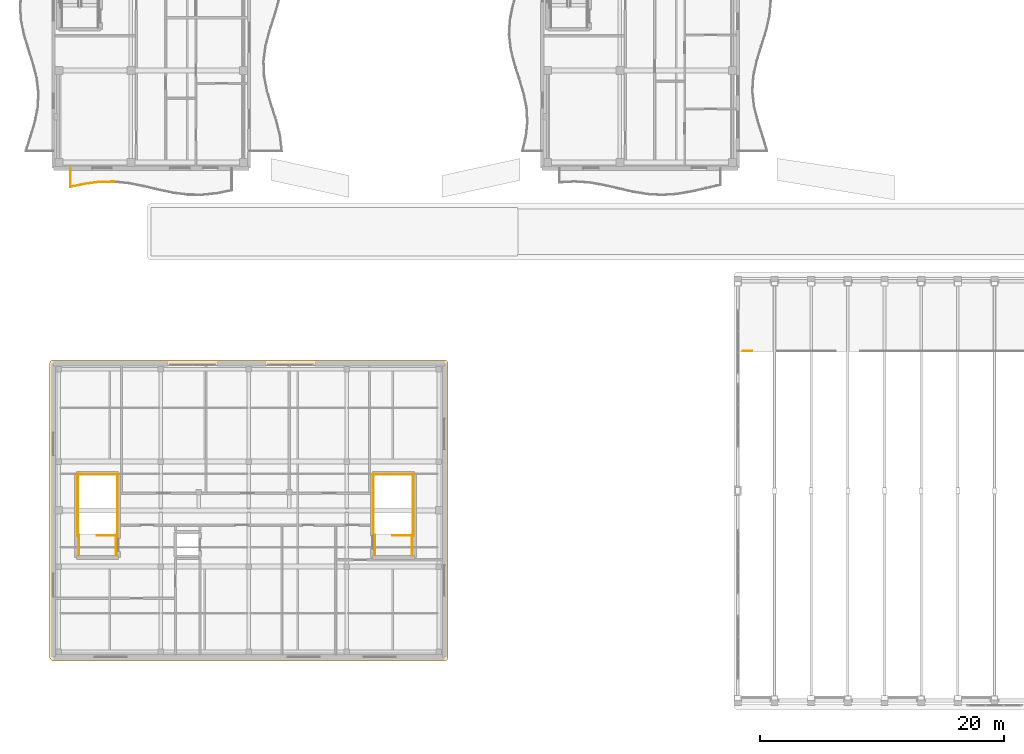
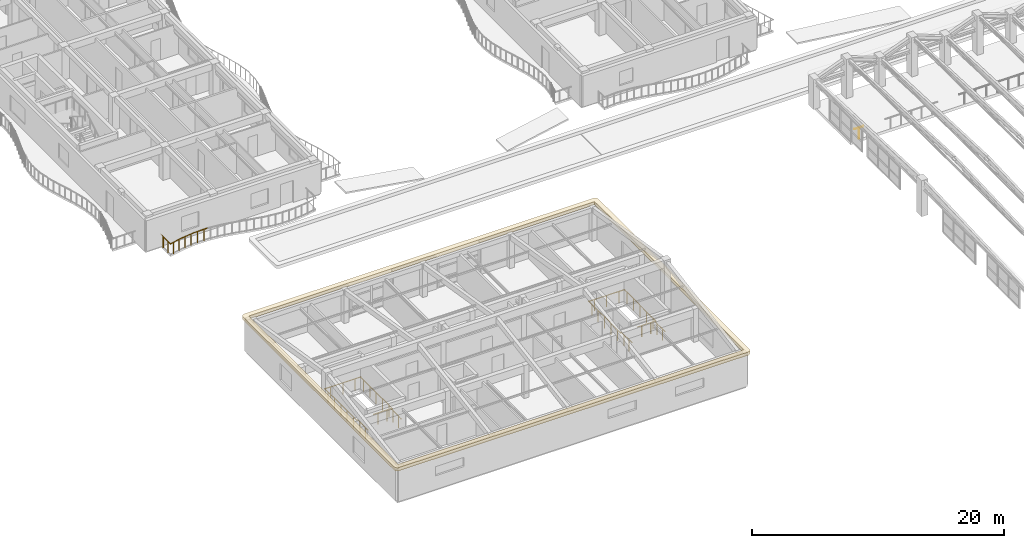
# One storey, part 102 of 128: 17 railings, 1 covering.
"""IFC4 building model written with IfcOpenShell, lengths in metres."""

import ifcopenshell
import ifcopenshell.guid

model = None  # the IFC model being written
_history = None  # IfcOwnerHistory: only IFC2X3 demands one
_inside = {}  # id of a spatial element -> (the spatial element, [elements in it])
_under = {}  # id of a project, library or spatial element -> (it, [spatial elements below it])
_declared = {}  # id of a project -> (the project, [libraries it declares])
_typed = {}  # id of a type object -> (the type object, [elements of that type])
_made_of = {}  # id of a material, layer set ... -> (it, [elements and type objects made of it])


def new_model(schema):
    """Start an empty IFC model of exactly this schema.

    Asked for "IFC4X3", IfcOpenShell would pick the latest addendum, in which some entities
    have other attributes; the version numbers below select the first issue.
    IFC2X3 requires an IfcOwnerHistory on every rooted entity: one is made here for all.
    """
    global model, _history
    if schema == "IFC4X3":
        model = ifcopenshell.file(schema_version=(4, 3, 0, 0))
    else:
        model = ifcopenshell.file(schema=schema)
    _inside.clear()
    _under.clear()
    _declared.clear()
    _typed.clear()
    _made_of.clear()
    _history = None
    if model.schema == "IFC2X3":
        org = make("IfcOrganization", Name="unknown")
        user = make(
            "IfcPersonAndOrganization",
            ThePerson=make("IfcPerson", FamilyName="unknown"),
            TheOrganization=org,
        )
        app = make(
            "IfcApplication",
            ApplicationDeveloper=org,
            Version="unknown",
            ApplicationFullName="unknown",
            ApplicationIdentifier="unknown",
        )
        _history = make(
            "IfcOwnerHistory",
            OwningUser=user,
            OwningApplication=app,
            ChangeAction="ADDED",
            CreationDate=0,
        )
    return model


def make(cls, **values):
    """One entity of the class cls with the attributes given. An attribute that is None is left unset."""
    return model.create_entity(
        cls, **{name: value for name, value in values.items() if value is not None}
    )


def rooted(cls, **values):
    """An entity with a GlobalId (a new one), such as an element, a storey or a relation."""
    return make(cls, GlobalId=ifcopenshell.guid.new(), OwnerHistory=_history, **values)


def si_unit(unit_type, name, prefix=None):
    """IfcSIUnit, for example si_unit("LENGTHUNIT", "METRE", prefix="MILLI")."""
    return make("IfcSIUnit", UnitType=unit_type, Prefix=prefix, Name=name)


def assignment(units):
    """IfcUnitAssignment: the units of a project."""
    return None if units is None else make("IfcUnitAssignment", Units=units)


def point(xyz):
    """IfcCartesianPoint."""
    return None if xyz is None else make("IfcCartesianPoint", Coordinates=xyz)


def direction(xyz):
    """IfcDirection."""
    return None if xyz is None else make("IfcDirection", DirectionRatios=xyz)


def frame(location, z_axis=None, x_axis=None):
    """IfcAxis2Placement3D, a coordinate frame: its origin and axes. An axis left out is left unset."""
    return make(
        "IfcAxis2Placement3D",
        Location=point(location),
        Axis=direction(z_axis),
        RefDirection=direction(x_axis),
    )


def frame_2d(location, x_axis=None):
    """IfcAxis2Placement2D, a coordinate frame in the plane: its origin and x axis."""
    return make(
        "IfcAxis2Placement2D", Location=point(location), RefDirection=direction(x_axis)
    )


def origin():
    """The frame at (0, 0, 0) with its axes left unset."""
    return frame((0.0, 0.0, 0.0))


def origin_2d():
    """The frame at (0, 0) in the plane with its x axis left unset."""
    return frame_2d((0.0, 0.0))


def place(relative_to, where):
    """IfcLocalPlacement: puts the frame where relative to a parent placement (None: the world)."""
    return make(
        "IfcLocalPlacement", PlacementRelTo=relative_to, RelativePlacement=where
    )


def context(
    kind, dimensions, precision=None, world=None, true_north=None, identifier=None
):
    """IfcGeometricRepresentationContext, for example the 3D "Model" context."""
    return make(
        "IfcGeometricRepresentationContext",
        ContextIdentifier=identifier,
        ContextType=kind,
        CoordinateSpaceDimension=dimensions,
        Precision=precision,
        WorldCoordinateSystem=world,
        TrueNorth=true_north,
    )


def subcontext(parent, identifier, kind, view, scale=None):
    """IfcGeometricRepresentationSubContext, for example "Body" below "Model"."""
    return make(
        "IfcGeometricRepresentationSubContext",
        ContextIdentifier=identifier,
        ContextType=kind,
        ParentContext=parent,
        TargetScale=scale,
        TargetView=view,
    )


def project(units=None, contexts=None):
    """IfcProject with its units and contexts."""
    return rooted(
        "IfcProject",
        Name="project",
        RepresentationContexts=contexts,
        UnitsInContext=assignment(units),
    )


def spatial(cls, under=None, at=None, **own):
    """A site, building, storey or space (cls), placed at a placement, below another one or the project."""
    s = rooted(cls, ObjectPlacement=at, **own)
    if under is not None:
        _under.setdefault(under.id(), (under, []))[1].append(s)
    return s


def polyline(points):
    """IfcPolyline through the points."""
    return make("IfcPolyline", Points=[point(p) for p in points])


def profile(cls, at=None, kind="AREA", **sizes):
    """A parametric profile (cls). Its sizes go by their IFC names, for example OverallWidth=200.0."""
    return make(cls, ProfileType=kind, Position=at, **sizes)


def circle(**sizes):
    """IfcCircleProfileDef."""
    return profile("IfcCircleProfileDef", **sizes)


def outline(outer, holes=None, kind="AREA"):
    """IfcArbitraryClosedProfileDef: a profile drawn as a closed curve; with holes, ...WithVoids."""
    if holes is None:
        return make("IfcArbitraryClosedProfileDef", ProfileType=kind, OuterCurve=outer)
    return make(
        "IfcArbitraryProfileDefWithVoids",
        ProfileType=kind,
        OuterCurve=outer,
        InnerCurves=holes,
    )


def extrude(swept, where, along, depth):
    """IfcExtrudedAreaSolid: the profile swept, set in the frame where, extruded along a direction by depth."""
    return make(
        "IfcExtrudedAreaSolid",
        SweptArea=swept,
        Position=where,
        ExtrudedDirection=direction(along),
        Depth=depth,
    )


def shape(context_of_items, identifier, shape_type, items):
    """IfcShapeRepresentation: the items that make up one representation, for example the "Body"."""
    return make(
        "IfcShapeRepresentation",
        ContextOfItems=context_of_items,
        RepresentationIdentifier=identifier,
        RepresentationType=shape_type,
        Items=items,
    )


def material(Name=None, Category=None):
    """IfcMaterial."""
    return make("IfcMaterial", Name=Name, Category=Category)


def layer(
    of_material, thickness, ventilated=None, Name=None, Category=None, Priority=None
):
    """IfcMaterialLayer: one layer of a wall or slab, of a material (None: an air gap)."""
    return make(
        "IfcMaterialLayer",
        Material=of_material,
        LayerThickness=thickness,
        IsVentilated=ventilated,
        Name=Name,
        Category=Category,
        Priority=Priority,
    )


def layer_set(layers, Name=None):
    """IfcMaterialLayerSet."""
    return make("IfcMaterialLayerSet", MaterialLayers=layers, LayerSetName=Name)


def made_of(thing, what):
    """Note that an element or type object is made of a material, layer set ...; save() writes the relation."""
    if what is not None:
        _made_of.setdefault(what.id(), (what, []))[1].append(thing)
    return thing


def type_object(cls, material=None, **own):
    """A type object (cls), such as IfcWallType, which elements share."""
    return made_of(rooted(cls, **own), material)


def element(
    cls,
    number,
    at=None,
    inside=None,
    cuts=None,
    type_object=None,
    material=None,
    context=None,
    identifier="Body",
    shape_type=None,
    held_by="IfcProductDefinitionShape",
    body=None,
    shapes=None,
    **own,
):
    """One element of the class cls, such as IfcWall. Its Tag is "e" and its number.

    at: its placement. inside: the storey or other place that contains it. cuts: it is an
    opening in that element (IfcRelVoidsElement). A single representation is given by context,
    identifier, shape_type and body (its items); several are given by shapes. held_by: the class
    of the entity that holds the representations. save() writes the other relations.
    """
    e = rooted(cls, Tag="e%d" % number, ObjectPlacement=at, **own)
    if body is not None:
        shapes = [shape(context, identifier, shape_type, body)]
    if shapes is not None:
        e.Representation = make(held_by, Representations=shapes)
    if inside is not None:
        _inside.setdefault(inside.id(), (inside, []))[1].append(e)
    if cuts is not None:
        rooted(
            "IfcRelVoidsElement", RelatingBuildingElement=cuts, RelatedOpeningElement=e
        )
    if type_object is not None:
        _typed.setdefault(type_object.id(), (type_object, []))[1].append(e)
    return made_of(e, material)


def aggregate(whole, parts):
    """IfcRelAggregates: a whole, such as a stair, and the parts it consists of."""
    return rooted("IfcRelAggregates", RelatingObject=whole, RelatedObjects=parts)


def save(model, path):
    """Write the relations noted so far, then the file.

    IfcRelAggregates (storeys below a building ...), IfcRelContainedInSpatialStructure (elements
    in a storey), IfcRelDefinesByType, IfcRelAssociatesMaterial and IfcRelDeclares: one each for
    every whole, place, type object, material and project.
    """
    for whole, parts in _under.values():
        aggregate(whole, parts)
    for where, things in _inside.values():
        rooted(
            "IfcRelContainedInSpatialStructure",
            RelatedElements=things,
            RelatingStructure=where,
        )
    for kind, things in _typed.values():
        rooted("IfcRelDefinesByType", RelatedObjects=things, RelatingType=kind)
    for what, things in _made_of.values():
        rooted("IfcRelAssociatesMaterial", RelatedObjects=things, RelatingMaterial=what)
    for by, libraries in _declared.values():
        rooted("IfcRelDeclares", RelatingContext=by, RelatedDefinitions=libraries)
    model.write(path)


model = new_model("IFC4")

# Units and contexts
model_context = context("Model", 3, precision=1e-05, world=origin(), true_north=direction((0.0, 1.0)))
body_context = subcontext(model_context, "Body", "Model", "MODEL_VIEW")
ifc_project = project(units=[si_unit("LENGTHUNIT", "METRE"), si_unit("AREAUNIT", "SQUARE_METRE"), si_unit("VOLUMEUNIT", "CUBIC_METRE"), si_unit("PLANEANGLEUNIT", "RADIAN"), si_unit("MASSUNIT", "GRAM", prefix="KILO")], contexts=[model_context])

# Site, building, storey
site_placement = place(None, origin())
site = spatial("IfcSite", under=ifc_project, at=site_placement, CompositionType="ELEMENT")
building_placement = place(site_placement, origin())
building = spatial("IfcBuilding", under=site, at=building_placement, Name="Keldmere Railside Commons", CompositionType="ELEMENT")
storey_placement = place(building_placement, frame((0.0, 0.0, 4.159912109375)))
storey = spatial("IfcBuildingStorey", under=building, at=storey_placement, Name="L01", CompositionType="ELEMENT", Elevation=4.159912109375)

# Railings
ifc_material_1 = material(Name="Steel F-24 (S235)", Category="steel")
railing_type_1 = type_object("IfcRailingType", Name="Balcony & Terrace Steel Balustrade 1100", PredefinedType="BALUSTRADE", material=ifc_material_1)
railing_1_placement = place(storey_placement, frame((9.39990234375, 56.0, 0.0)))
element("IfcRailing", 1, at=railing_1_placement, inside=storey, type_object=railing_type_1, Name="GR-1 GRD-L01-0118", PredefinedType="BALUSTRADE", context=body_context, shape_type="SweptSolid", body=[
    extrude(circle(Radius=0.02392578125, at=origin_2d()), frame((0.0, 0.0, 1.076171875), z_axis=(0.0, -1.0, 0.0), x_axis=(1.0, 0.0, 0.0)), (0.0, 0.0, 1.0), 1.5361328125),
    extrude(circle(Radius=0.02099609375, at=origin_2d()), frame((0.0, -0.384033203125, 0.0)), (0.0, 0.0, 1.0), 1.048095703125),
    extrude(circle(Radius=0.02099609375, at=origin_2d()), frame((0.0, -1.152099609375, 0.0)), (0.0, 0.0, 1.0), 1.048095703125),
])
railing_2_placement = place(storey_placement, frame((9.39990234375, 54.4638671875, 0.0)))
element("IfcRailing", 2, at=railing_2_placement, inside=storey, type_object=railing_type_1, Name="GR-1 GRD-L01-0119", PredefinedType="BALUSTRADE", context=body_context, shape_type="SweptSolid", body=[
    extrude(circle(Radius=0.02392578125, at=origin_2d()), frame((0.0, 0.0, 1.076171875), z_axis=(0.978386884856, 0.206782744786, 0.0), x_axis=(-0.206782744786, 0.978386884856, 0.0)), (0.0, 0.0, 1.0), 1.226806640625),
    extrude(circle(Radius=0.02099609375, at=origin_2d()), frame((0.300048828125, 0.0634765625, 0.0)), (0.0, 0.0, 1.0), 1.048095703125),
    extrude(circle(Radius=0.02099609375, at=origin_2d()), frame((0.900146484375, 0.190185546875, 0.0)), (0.0, 0.0, 1.0), 1.048095703125),
])
railing_3_placement = place(storey_placement, frame((10.60009765625, 54.717529296875, 0.0)))
element("IfcRailing", 3, at=railing_3_placement, inside=storey, type_object=railing_type_1, Name="GR-1 GRD-L01-0120", PredefinedType="BALUSTRADE", context=body_context, shape_type="SweptSolid", body=[
    extrude(circle(Radius=0.02392578125, at=origin_2d()), frame((0.0, 0.0, 1.076171875), z_axis=(0.991731539866, 0.128329859482, 0.0), x_axis=(-0.128329859482, 0.991731539866, 0.0)), (0.0, 0.0, 1.0), 1.2099609375),
    extrude(circle(Radius=0.02099609375, at=origin_2d()), frame((0.300048828125, 0.038818359375, 0.0)), (0.0, 0.0, 1.0), 1.048095703125),
    extrude(circle(Radius=0.02099609375, at=origin_2d()), frame((0.89990234375, 0.116455078125, 0.0)), (0.0, 0.0, 1.0), 1.048095703125),
])
railing_4_placement = place(storey_placement, frame((11.800048828125, 54.872802734375, 0.0)))
element("IfcRailing", 4, at=railing_4_placement, inside=storey, type_object=railing_type_1, Name="GR-1 GRD-L01-0121", PredefinedType="BALUSTRADE", context=body_context, shape_type="SweptSolid", body=[
    extrude(circle(Radius=0.02392578125, at=origin_2d()), frame((0.0, 0.0, 1.076171875), z_axis=(0.999917860785, 0.012816851522, 0.0), x_axis=(-0.012816851522, 0.999917860785, 0.0)), (0.0, 0.0, 1.0), 1.199951171875),
    extrude(circle(Radius=0.02099609375, at=origin_2d()), frame((0.300048828125, 0.00390625, 0.0)), (0.0, 0.0, 1.0), 1.048095703125),
    extrude(circle(Radius=0.02099609375, at=origin_2d()), frame((0.89990234375, 0.011474609375, 0.0)), (0.0, 0.0, 1.0), 1.048095703125),
])

# Covering
ifc_material_2 = material(Name="White Precast Concrete C35/45", Category="concrete")
ifc_layer = layer(ifc_material_2, 0.280029296875, Name="Postmodern Stepped Precast Cornice Band 280")
ifc_layer_set = layer_set([ifc_layer], Name="White Precast Concrete C35/45")
covering_type = type_object("IfcCoveringType", Name="Postmodern Stepped Precast Cornice Band 280", PredefinedType="CLADDING", material=ifc_layer_set)
covering_placement = place(storey_placement, frame((0.0, 0.0, 3.06005859375)))
element("IfcCovering", 5, at=covering_placement, inside=storey, type_object=covering_type, Name="CRN-1 Postmodern Entablature CRN-NUR", PredefinedType="CLADDING", context=body_context, shape_type="SweptSolid", body=[
    extrude(outline(polyline([(8.0, 15.699951171875), (7.970703125, 15.701416015625), (7.94140625, 15.705810546875), (7.912841796875, 15.712890625), (7.88525390625, 15.722900390625), (7.858642578125, 15.7353515625), (7.833251953125, 15.75048828125), (7.809814453125, 15.76806640625), (7.787841796875, 15.787841796875), (7.76806640625, 15.809814453125), (7.75048828125, 15.833251953125), (7.7353515625, 15.858642578125), (7.722900390625, 15.88525390625), (7.712890625, 15.912841796875), (7.705810546875, 15.94140625), (7.701416015625, 15.970703125), (7.699951171875, 16.0), (7.699951171875, 40.0), (7.701416015625, 40.029296875), (7.705810546875, 40.05859375), (7.712890625, 40.087158203125), (7.722900390625, 40.11474609375), (7.7353515625, 40.141357421875), (7.75048828125, 40.166748046875), (7.76806640625, 40.190185546875), (7.787841796875, 40.212158203125), (7.809814453125, 40.23193359375), (7.833251953125, 40.24951171875), (7.858642578125, 40.2646484375), (7.88525390625, 40.277099609375), (7.912841796875, 40.287109375), (7.94140625, 40.294189453125), (7.970703125, 40.298583984375), (8.0, 40.300048828125), (40.0, 40.300048828125), (40.029296875, 40.298583984375), (40.05859375, 40.294189453125), (40.087158203125, 40.287109375), (40.11474609375, 40.277099609375), (40.141357421875, 40.2646484375), (40.166748046875, 40.24951171875), (40.190185546875, 40.23193359375), (40.212158203125, 40.212158203125), (40.23193359375, 40.190185546875), (40.24951171875, 40.166748046875), (40.2646484375, 40.141357421875), (40.277099609375, 40.11474609375), (40.287109375, 40.087158203125), (40.294189453125, 40.05859375), (40.298583984375, 40.029296875), (40.300048828125, 40.0), (40.300048828125, 16.0), (40.298583984375, 15.970703125), (40.294189453125, 15.94140625), (40.287109375, 15.912841796875), (40.277099609375, 15.88525390625), (40.2646484375, 15.858642578125), (40.24951171875, 15.833251953125), (40.23193359375, 15.809814453125), (40.212158203125, 15.787841796875), (40.190185546875, 15.76806640625), (40.166748046875, 15.75048828125), (40.141357421875, 15.7353515625), (40.11474609375, 15.722900390625), (40.087158203125, 15.712890625), (40.05859375, 15.705810546875), (40.029296875, 15.701416015625), (40.0, 15.699951171875), (8.0, 15.699951171875)]), holes=[polyline([(39.85009765625, 16.14990234375), (8.14990234375, 16.14990234375), (8.14990234375, 39.85009765625), (39.85009765625, 39.85009765625), (39.85009765625, 16.14990234375)])]), origin(), (0.0, 0.0, 1.0), 0.320068359375),
])

# Railings
railing_type_2 = type_object("IfcRailingType", Name="Stair Well Steel Guardrail 1100", PredefinedType="BALUSTRADE", material=ifc_material_1)
railing_5_placement = place(storey_placement, frame((13.199951171875, 25.949951171875, 0.0)))
element("IfcRailing", 6, at=railing_5_placement, inside=storey, type_object=railing_type_2, Name="L01 ST-N1 top well guard 1", PredefinedType="BALUSTRADE", context=body_context, shape_type="SweptSolid", body=[
    extrude(circle(Radius=0.02392578125, at=origin_2d()), frame((0.0, 0.0, 1.076171875), z_axis=(-1.0, 0.0, 0.0), x_axis=(0.0, -1.0, 0.0)), (0.0, 0.0, 1.0), 1.64990234375),
    extrude(circle(Radius=0.02099609375, at=origin_2d()), frame((-0.41259765625, 0.0, 0.0)), (0.0, 0.0, 1.0), 1.048095703125),
    extrude(circle(Radius=0.02099609375, at=origin_2d()), frame((-1.2373046875, 0.0, 0.0)), (0.0, 0.0, 1.0), 1.048095703125),
])
for number, where, name in (
    (7, (13.25, 25.89990234375, 0.0), "L01 ST-N1 top well guard 2"),
    (8, (10.0, 25.89990234375, 0.0), "L01 ST-N1 top well guard 3"),
):
    element("IfcRailing", number, at=place(storey_placement, frame(where)), inside=storey, type_object=railing_type_2, Name=name, PredefinedType="BALUSTRADE", context=body_context, shape_type="SweptSolid", body=[
        extrude(circle(Radius=0.02392578125, at=origin_2d()), frame((0.0, 0.0, 1.076171875), z_axis=(0.0, 1.0, 0.0), x_axis=(-1.0, 0.0, 0.0)), (0.0, 0.0, 1.0), 5.10009765625),
        extrude(circle(Radius=0.02099609375, at=origin_2d()), frame((0.0, 0.510009765625, 0.0)), (0.0, 0.0, 1.0), 1.048095703125),
        extrude(circle(Radius=0.02099609375, at=origin_2d()), frame((0.0, 1.530029296875, 0.0)), (0.0, 0.0, 1.0), 1.048095703125),
        extrude(circle(Radius=0.02099609375, at=origin_2d()), frame((0.0, 2.550048828125, 0.0)), (0.0, 0.0, 1.0), 1.048095703125),
        extrude(circle(Radius=0.02099609375, at=origin_2d()), frame((0.0, 3.570068359375, 0.0)), (0.0, 0.0, 1.0), 1.048095703125),
        extrude(circle(Radius=0.02099609375, at=origin_2d()), frame((0.0, 4.590087890625, 0.0)), (0.0, 0.0, 1.0), 1.048095703125),
    ])
railing_6_placement = place(storey_placement, frame((13.300048828125, 30.949951171875, 0.0)))
element("IfcRailing", 9, at=railing_6_placement, inside=storey, type_object=railing_type_2, Name="L01 ST-N1 top well guard 4", PredefinedType="BALUSTRADE", context=body_context, shape_type="SweptSolid", body=[
    extrude(circle(Radius=0.02392578125, at=origin_2d()), frame((0.0, 0.0, 1.076171875), z_axis=(-1.0, 0.0, 0.0), x_axis=(0.0, -1.0, 0.0)), (0.0, 0.0, 1.0), 3.35009765625),
    extrude(circle(Radius=0.02099609375, at=origin_2d()), frame((-0.558349609375, 0.0, 0.0)), (0.0, 0.0, 1.0), 1.048095703125),
    extrude(circle(Radius=0.02099609375, at=origin_2d()), frame((-1.675048828125, 0.0, 0.0)), (0.0, 0.0, 1.0), 1.048095703125),
    extrude(circle(Radius=0.02099609375, at=origin_2d()), frame((-2.791748046875, 0.0, 0.0)), (0.0, 0.0, 1.0), 1.048095703125),
])
for number, where, name in (
    (10, (13.14990234375, 24.300048828125, 0.0), "L01 ST-N1 top well guard 5"),
    (11, (10.10009765625, 24.300048828125, 0.0), "L01 ST-N1 top well guard 6"),
):
    element("IfcRailing", number, at=place(storey_placement, frame(where)), inside=storey, type_object=railing_type_2, Name=name, PredefinedType="BALUSTRADE", context=body_context, shape_type="SweptSolid", body=[
        extrude(circle(Radius=0.02392578125, at=origin_2d()), frame((0.0, 0.0, 1.076171875), z_axis=(0.0, 1.0, 0.0), x_axis=(-1.0, 0.0, 0.0)), (0.0, 0.0, 1.0), 1.699951171875),
        extrude(circle(Radius=0.02099609375, at=origin_2d()), frame((0.0, 0.425048828125, 0.0)), (0.0, 0.0, 1.0), 1.048095703125),
        extrude(circle(Radius=0.02099609375, at=origin_2d()), frame((0.0, 1.27490234375, 0.0)), (0.0, 0.0, 1.0), 1.048095703125),
    ])
railing_7_placement = place(storey_placement, frame((37.39990234375, 25.949951171875, 0.0)))
element("IfcRailing", 12, at=railing_7_placement, inside=storey, type_object=railing_type_2, Name="L01 ST-N2 top well guard 1", PredefinedType="BALUSTRADE", context=body_context, shape_type="SweptSolid", body=[
    extrude(circle(Radius=0.02392578125, at=origin_2d()), frame((0.0, 0.0, 1.076171875), z_axis=(-1.0, 0.0, 0.0), x_axis=(0.0, -1.0, 0.0)), (0.0, 0.0, 1.0), 1.64990234375),
    extrude(circle(Radius=0.02099609375, at=origin_2d()), frame((-0.41259765625, 0.0, 0.0)), (0.0, 0.0, 1.0), 1.048095703125),
    extrude(circle(Radius=0.02099609375, at=origin_2d()), frame((-1.2373046875, 0.0, 0.0)), (0.0, 0.0, 1.0), 1.048095703125),
])
for number, where, name in (
    (13, (37.449951171875, 25.89990234375, 0.0), "L01 ST-N2 top well guard 2"),
    (14, (34.199951171875, 25.89990234375, 0.0), "L01 ST-N2 top well guard 3"),
):
    element("IfcRailing", number, at=place(storey_placement, frame(where)), inside=storey, type_object=railing_type_2, Name=name, PredefinedType="BALUSTRADE", context=body_context, shape_type="SweptSolid", body=[
        extrude(circle(Radius=0.02392578125, at=origin_2d()), frame((0.0, 0.0, 1.076171875), z_axis=(0.0, 1.0, 0.0), x_axis=(-1.0, 0.0, 0.0)), (0.0, 0.0, 1.0), 5.10009765625),
        extrude(circle(Radius=0.02099609375, at=origin_2d()), frame((0.0, 0.510009765625, 0.0)), (0.0, 0.0, 1.0), 1.048095703125),
        extrude(circle(Radius=0.02099609375, at=origin_2d()), frame((0.0, 1.530029296875, 0.0)), (0.0, 0.0, 1.0), 1.048095703125),
        extrude(circle(Radius=0.02099609375, at=origin_2d()), frame((0.0, 2.550048828125, 0.0)), (0.0, 0.0, 1.0), 1.048095703125),
        extrude(circle(Radius=0.02099609375, at=origin_2d()), frame((0.0, 3.570068359375, 0.0)), (0.0, 0.0, 1.0), 1.048095703125),
        extrude(circle(Radius=0.02099609375, at=origin_2d()), frame((0.0, 4.590087890625, 0.0)), (0.0, 0.0, 1.0), 1.048095703125),
    ])
railing_8_placement = place(storey_placement, frame((37.5, 30.949951171875, 0.0)))
element("IfcRailing", 15, at=railing_8_placement, inside=storey, type_object=railing_type_2, Name="L01 ST-N2 top well guard 4", PredefinedType="BALUSTRADE", context=body_context, shape_type="SweptSolid", body=[
    extrude(circle(Radius=0.02392578125, at=origin_2d()), frame((0.0, 0.0, 1.076171875), z_axis=(-1.0, 0.0, 0.0), x_axis=(0.0, -1.0, 0.0)), (0.0, 0.0, 1.0), 3.35009765625),
    extrude(circle(Radius=0.02099609375, at=origin_2d()), frame((-0.558349609375, 0.0, 0.0)), (0.0, 0.0, 1.0), 1.048095703125),
    extrude(circle(Radius=0.02099609375, at=origin_2d()), frame((-1.675048828125, 0.0, 0.0)), (0.0, 0.0, 1.0), 1.048095703125),
    extrude(circle(Radius=0.02099609375, at=origin_2d()), frame((-2.791748046875, 0.0, 0.0)), (0.0, 0.0, 1.0), 1.048095703125),
])
for number, where, name in (
    (16, (37.35009765625, 24.300048828125, 0.0), "L01 ST-N2 top well guard 5"),
    (17, (34.300048828125, 24.300048828125, 0.0), "L01 ST-N2 top well guard 6"),
):
    element("IfcRailing", number, at=place(storey_placement, frame(where)), inside=storey, type_object=railing_type_2, Name=name, PredefinedType="BALUSTRADE", context=body_context, shape_type="SweptSolid", body=[
        extrude(circle(Radius=0.02392578125, at=origin_2d()), frame((0.0, 0.0, 1.076171875), z_axis=(0.0, 1.0, 0.0), x_axis=(-1.0, 0.0, 0.0)), (0.0, 0.0, 1.0), 1.699951171875),
        extrude(circle(Radius=0.02099609375, at=origin_2d()), frame((0.0, 0.425048828125, 0.0)), (0.0, 0.0, 1.0), 1.048095703125),
        extrude(circle(Radius=0.02099609375, at=origin_2d()), frame((0.0, 1.27490234375, 0.0)), (0.0, 0.0, 1.0), 1.048095703125),
    ])
railing_9_placement = place(storey_placement, frame((64.39990234375, 41.050048828125, 0.0)))
element("IfcRailing", 18, at=railing_9_placement, inside=storey, type_object=railing_type_2, Name="GR-2 GRD-L01-4757", PredefinedType="BALUSTRADE", context=body_context, shape_type="SweptSolid", body=[
    extrude(circle(Radius=0.02392578125, at=origin_2d()), frame((0.0, 0.0, 1.076171875), z_axis=(1.0, 0.0, 0.0), x_axis=(0.0, 1.0, 0.0)), (0.0, 0.0, 1.0), 0.800048828125),
    extrude(circle(Radius=0.02099609375, at=origin_2d()), frame((0.39990234375, 0.0, 0.0)), (0.0, 0.0, 1.0), 1.048095703125),
])

save(model, "model.ifc")
